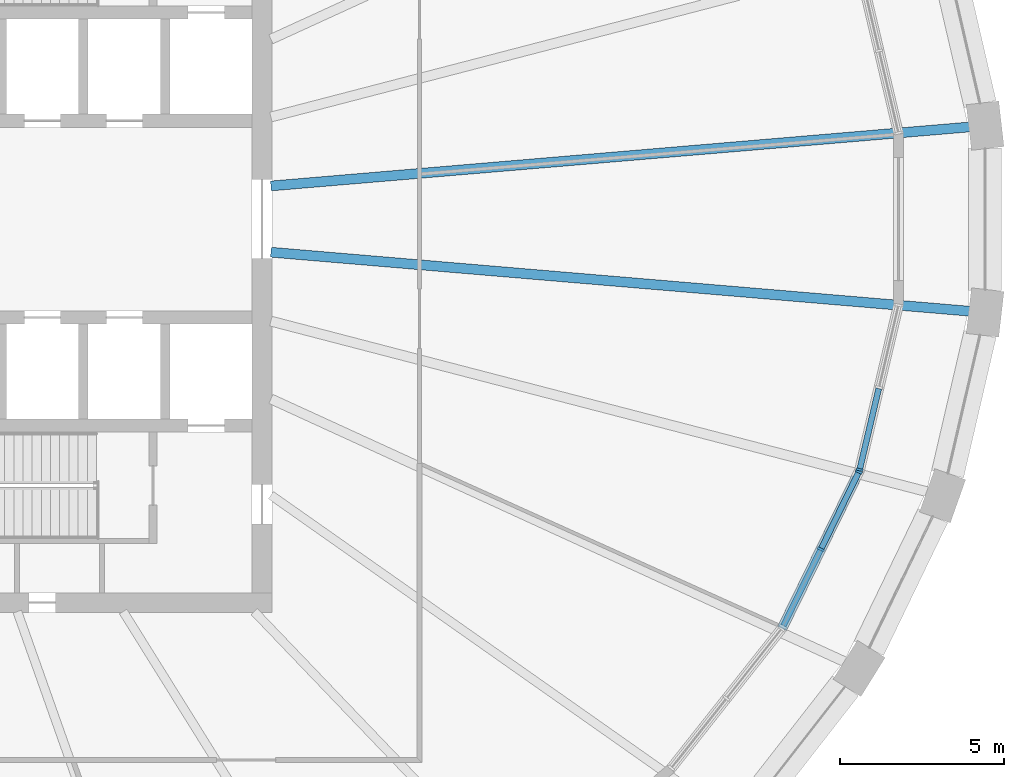
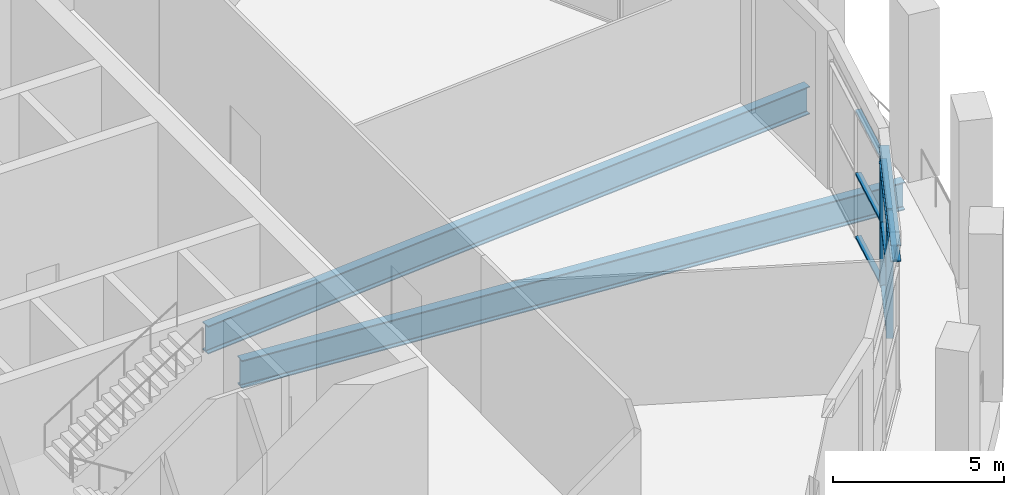
# One storey, part 5 of 19: 10 members, 3 beams, 2 elements without a shape of their own.
"""IFC4 building model written with IfcOpenShell, lengths in metres."""

from ifc_helpers import new_model, si_unit, direction, frame, origin, origin_2d, place, context, subcontext, project, spatial, rectangle, i_section, extrude, material, material_profile, profile_set, type_object, element, aggregate, save


model = new_model("IFC4")

# Units and contexts
model_context = context("Model", 3, precision=1e-05, world=origin(), true_north=direction((0.0, 1.0)))
body_context = subcontext(model_context, "Body", "Model", "MODEL_VIEW")
ifc_project = project(units=[si_unit("LENGTHUNIT", "METRE"), si_unit("AREAUNIT", "SQUARE_METRE"), si_unit("VOLUMEUNIT", "CUBIC_METRE"), si_unit("PLANEANGLEUNIT", "RADIAN"), si_unit("MASSUNIT", "GRAM", prefix="KILO")], contexts=[model_context])

# Site, building, storey
site_placement = place(None, origin())
site = spatial("IfcSite", under=ifc_project, at=site_placement, CompositionType="ELEMENT")
building_placement = place(site_placement, origin())
building = spatial("IfcBuilding", under=site, at=building_placement, Name="Halqa Exchange Tower", CompositionType="ELEMENT")
storey_placement = place(building_placement, frame((0.0, 0.0, 167.5)))
storey = spatial("IfcBuildingStorey", under=building, at=storey_placement, Name="L38", CompositionType="ELEMENT", Elevation=167.5)

# Beams
ifc_material_1 = material(Name="Steel S355", Category="steel")
ifc_material_profile_1 = material_profile(ifc_material_1, i_section(OverallWidth=0.300048828125, OverallDepth=1.0, WebThickness=0.01904296875, FlangeThickness=0.035888671875, FilletRadius=0.030029296875, at=origin_2d()), Name="HEB 1000")
ifc_profile_set_1 = profile_set([ifc_material_profile_1], Name="Steel S355")
beam_type_1 = type_object("IfcBeamType", Name="Floor beam HEB 1000", PredefinedType="BEAM", material=ifc_profile_set_1)
for number, where, z_axis, x_axis, name in (
    (1, (11.972412109375, 1.0107421875, -0.85009765625), (0.996455470836, 0.084121903455, 0.0), (-0.084121903455, 0.996455470836, 0.0), "Radial beam 1"),
    (2, (11.972412109375, -1.0107421875, -0.85009765625), (0.996455470836, -0.084121903455, 0.0), (0.084121903455, 0.996455470836, 0.0), "Radial beam 32"),
):
    element("IfcBeam", number, at=place(storey_placement, frame(where, z_axis=z_axis, x_axis=x_axis)), inside=storey, type_object=beam_type_1, Name=name, PredefinedType="BEAM", context=body_context, shape_type="SweptSolid", body=[
        extrude(i_section(OverallWidth=0.300048828125, OverallDepth=1.0, WebThickness=0.01904296875, FlangeThickness=0.035888671875, FilletRadius=0.030029296875, at=origin_2d()), origin(), (0.0, 0.0, 1.0), 21.490966796875),
    ])
ifc_material_profile_2 = material_profile(ifc_material_1, i_section(OverallWidth=0.300048828125, OverallDepth=0.60009765625, WebThickness=0.015380859375, FlangeThickness=0.030029296875, FilletRadius=0.027099609375, at=origin_2d()), Name="HEB 600")
ifc_profile_set_2 = profile_set([ifc_material_profile_2], Name="Steel S355")
beam_type_2 = type_object("IfcBeamType", Name="Head beam HEB 600", PredefinedType="BEAM", material=ifc_profile_set_2)
beam_placement = place(storey_placement, frame((27.562255859375, -12.490234375, 4.89990234375), z_axis=(0.440464064744, 0.897770242138, 0.0), x_axis=(-0.897770242138, 0.440464064744, 0.0)))
element("IfcBeam", 3, at=beam_placement, inside=storey, type_object=beam_type_2, Name="Spandrel head beam 30", PredefinedType="BEAM", context=body_context, shape_type="SweptSolid", body=[
    extrude(i_section(OverallWidth=0.300048828125, OverallDepth=0.60009765625, WebThickness=0.015380859375, FlangeThickness=0.030029296875, FilletRadius=0.027099609375, at=origin_2d()), origin(), (0.0, 0.0, 1.0), 5.131591796875),
])

# Curtain wall, members
ifc_material_2 = material(Name="Anodised aluminium and clear glass", Category="aluminium")
curtain_wall_type = type_object("IfcCurtainWallType", Name="Sky lobby glazing", PredefinedType="NOTDEFINED", material=ifc_material_2)
curtain_wall_1_placement = place(storey_placement, origin())
curtain_wall_1 = element("IfcCurtainWall", 4, at=curtain_wall_1_placement, inside=storey, type_object=curtain_wall_type, Name="Sky lobby glazing run G30", PredefinedType="NOTDEFINED")
ifc_material_3 = material(Name="Anodised aluminium", Category="aluminium")
ifc_material_profile_3 = material_profile(ifc_material_3, rectangle(XDim=0.219970703125, YDim=0.070068359375, at=origin_2d()), Name="AL 70x220")
ifc_profile_set_3 = profile_set([ifc_material_profile_3], Name="Anodised aluminium")
member_type_1 = type_object("IfcMemberType", Name="Sky lobby glazing mullion 70 x 220", PredefinedType="MULLION", material=ifc_profile_set_3)
member_1_placement = place(storey_placement, frame((28.74853515625, -10.072265625, 0.0), z_axis=(0.0, 0.0, 1.0), x_axis=(-0.897780317672, 0.440443527823, 0.0)))
member_1 = element("IfcMember", 5, at=member_1_placement, type_object=member_type_1, Name="G30 mullion 2", PredefinedType="MULLION", context=body_context, shape_type="SweptSolid", body=[
    extrude(rectangle(XDim=0.219970703125, YDim=0.070068359375, at=origin_2d()), origin(), (0.0, 0.0, 1.0), 4.60009765625),
])
member_2_placement = place(storey_placement, frame((29.90771484375, -7.709716796875, 0.0), z_axis=(0.0, 0.0, 1.0), x_axis=(-0.897780317672, 0.440443527823, 0.0)))
member_2 = element("IfcMember", 6, at=member_2_placement, type_object=member_type_1, Name="G30 mullion 3", PredefinedType="MULLION", context=body_context, shape_type="SweptSolid", body=[
    extrude(rectangle(XDim=0.219970703125, YDim=0.070068359375, at=origin_2d()), origin(), (0.0, 0.0, 1.0), 4.60009765625),
])

# Curtain wall, member
curtain_wall_2_placement = place(storey_placement, origin())
curtain_wall_2 = element("IfcCurtainWall", 7, at=curtain_wall_2_placement, inside=storey, type_object=curtain_wall_type, Name="Sky lobby glazing run G31", PredefinedType="NOTDEFINED")
member_3_placement = place(storey_placement, frame((29.93115234375, -7.64404296875, 0.0), z_axis=(0.0, 0.0, 1.0), x_axis=(-0.973351612825, 0.229317766019, 0.0)))
member_3 = element("IfcMember", 8, at=member_3_placement, type_object=member_type_1, Name="G31 mullion 1", PredefinedType="MULLION", context=body_context, shape_type="SweptSolid", body=[
    extrude(rectangle(XDim=0.219970703125, YDim=0.070068359375, at=origin_2d()), origin(), (0.0, 0.0, 1.0), 4.60009765625),
])

# Member
ifc_material_profile_4 = material_profile(ifc_material_3, rectangle(XDim=0.179931640625, YDim=0.070068359375, at=origin_2d()), Name="AL 70x180")
ifc_profile_set_4 = profile_set([ifc_material_profile_4], Name="Anodised aluminium")
member_type_2 = type_object("IfcMemberType", Name="Sky lobby glazing transom 70 x 180", PredefinedType="USERDEFINED", material=ifc_profile_set_4)
member_4_placement = place(storey_placement, frame((27.604736328125, -12.403564453125, 4.56494140625), z_axis=(0.440491663702, 0.897756701011, 0.0), x_axis=(-0.897756701011, 0.440491663702, 0.0)))
member_4 = element("IfcMember", 9, at=member_4_placement, type_object=member_type_2, Name="G30 transom 1.3", ObjectType="TRANSOM", PredefinedType="USERDEFINED", context=body_context, shape_type="SweptSolid", body=[
    extrude(rectangle(XDim=0.179931640625, YDim=0.070068359375, at=origin_2d()), origin(), (0.0, 0.0, 1.0), 2.561767578125),
])

member_5_placement = place(storey_placement, frame((28.763916015625, -10.041015625, 0.034912109375), z_axis=(0.44045397845, 0.897775190606, 0.0), x_axis=(-0.897775190606, 0.44045397845, 0.0)))
member_5 = element("IfcMember", 10, at=member_5_placement, type_object=member_type_2, Name="G30 transom 2.1", ObjectType="TRANSOM", PredefinedType="USERDEFINED", context=body_context, shape_type="SweptSolid", body=[
    extrude(rectangle(XDim=0.179931640625, YDim=0.070068359375, at=origin_2d()), origin(), (0.0, 0.0, 1.0), 2.56201171875),
])

member_6_placement = place(storey_placement, frame((28.763916015625, -10.041015625, 2.300048828125), z_axis=(0.44045397845, 0.897775190606, 0.0), x_axis=(-0.897775190606, 0.44045397845, 0.0)))
member_6 = element("IfcMember", 11, at=member_6_placement, type_object=member_type_2, Name="G30 transom 2.2", ObjectType="TRANSOM", PredefinedType="USERDEFINED", context=body_context, shape_type="SweptSolid", body=[
    extrude(rectangle(XDim=0.179931640625, YDim=0.070068359375, at=origin_2d()), origin(), (0.0, 0.0, 1.0), 2.56201171875),
])

member_7_placement = place(storey_placement, frame((28.763916015625, -10.041015625, 4.56494140625), z_axis=(0.44045397845, 0.897775190606, 0.0), x_axis=(-0.897775190606, 0.44045397845, 0.0)))
member_7 = element("IfcMember", 12, at=member_7_placement, type_object=member_type_2, Name="G30 transom 2.3", ObjectType="TRANSOM", PredefinedType="USERDEFINED", context=body_context, shape_type="SweptSolid", body=[
    extrude(rectangle(XDim=0.179931640625, YDim=0.070068359375, at=origin_2d()), origin(), (0.0, 0.0, 1.0), 2.56201171875),
])

aggregate(curtain_wall_1, [member_1, member_2, member_4, member_5, member_6, member_7])

member_8_placement = place(storey_placement, frame((29.939208984375, -7.610107421875, 0.034912109375), z_axis=(0.229316122458, 0.973352000039, 0.0), x_axis=(-0.973352000039, 0.229316122458, 0.0)))
member_8 = element("IfcMember", 13, at=member_8_placement, type_object=member_type_2, Name="G31 transom 1.1", ObjectType="TRANSOM", PredefinedType="USERDEFINED", context=body_context, shape_type="SweptSolid", body=[
    extrude(rectangle(XDim=0.179931640625, YDim=0.070068359375, at=origin_2d()), origin(), (0.0, 0.0, 1.0), 2.50732421875),
])

member_9_placement = place(storey_placement, frame((29.939208984375, -7.610107421875, 2.300048828125), z_axis=(0.229316122458, 0.973352000039, 0.0), x_axis=(-0.973352000039, 0.229316122458, 0.0)))
member_9 = element("IfcMember", 14, at=member_9_placement, type_object=member_type_2, Name="G31 transom 1.2", ObjectType="TRANSOM", PredefinedType="USERDEFINED", context=body_context, shape_type="SweptSolid", body=[
    extrude(rectangle(XDim=0.179931640625, YDim=0.070068359375, at=origin_2d()), origin(), (0.0, 0.0, 1.0), 2.50732421875),
])

member_10_placement = place(storey_placement, frame((29.939208984375, -7.610107421875, 4.56494140625), z_axis=(0.229316122458, 0.973352000039, 0.0), x_axis=(-0.973352000039, 0.229316122458, 0.0)))
member_10 = element("IfcMember", 15, at=member_10_placement, type_object=member_type_2, Name="G31 transom 1.3", ObjectType="TRANSOM", PredefinedType="USERDEFINED", context=body_context, shape_type="SweptSolid", body=[
    extrude(rectangle(XDim=0.179931640625, YDim=0.070068359375, at=origin_2d()), origin(), (0.0, 0.0, 1.0), 2.50732421875),
])

aggregate(curtain_wall_2, [member_3, member_8, member_9, member_10])

save(model, "model.ifc")
